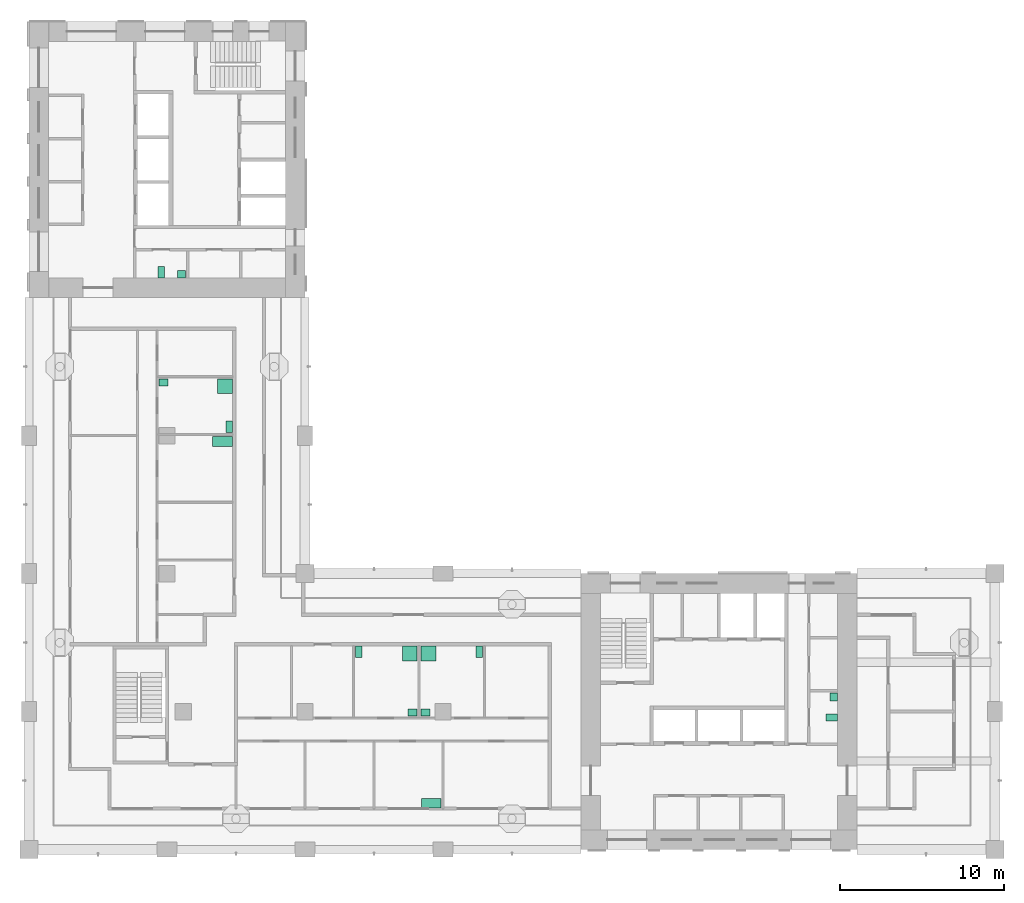
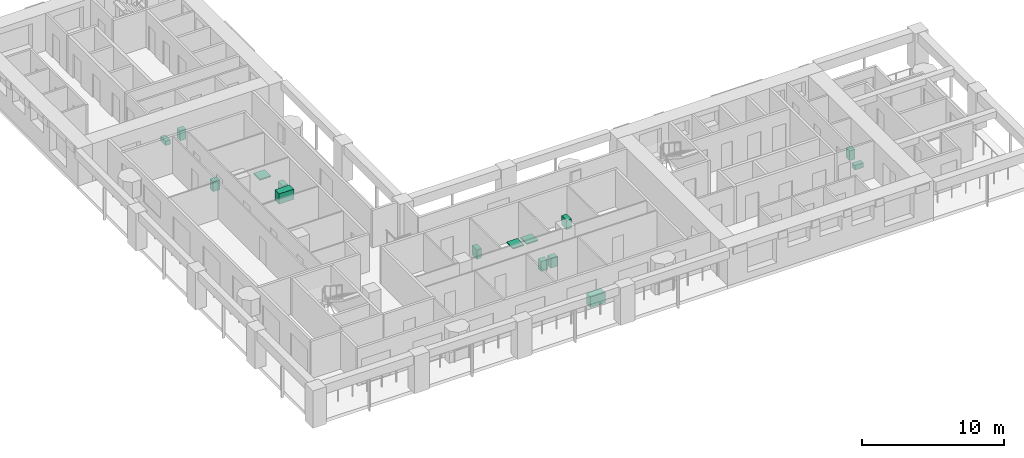
# One storey, part 11 of 13: 15 sanitary terminals.
"""IFC4 building model written with IfcOpenShell, lengths in metres."""

from ifc_helpers import new_model, si_unit, direction, frame, origin, origin_2d, place, context, subcontext, project, spatial, rectangle, extrude, material, element, save


model = new_model("IFC4")

# Units and contexts
model_context = context("Model", 3, precision=1e-05, world=origin(), true_north=direction((0.0, 1.0)))
body_context = subcontext(model_context, "Body", "Model", "MODEL_VIEW")
ifc_project = project(units=[si_unit("LENGTHUNIT", "METRE"), si_unit("AREAUNIT", "SQUARE_METRE"), si_unit("VOLUMEUNIT", "CUBIC_METRE"), si_unit("PLANEANGLEUNIT", "RADIAN"), si_unit("MASSUNIT", "GRAM", prefix="KILO")], contexts=[model_context])

# Site, building, storey
site_placement = place(None, origin())
site = spatial("IfcSite", under=ifc_project, at=site_placement, CompositionType="ELEMENT")
building_placement = place(site_placement, origin())
building = spatial("IfcBuilding", under=site, at=building_placement, Name="Vermilion Gate Residences", CompositionType="ELEMENT")
storey_placement = place(building_placement, frame((0.0, 0.0, 196.699951171875)))
storey = spatial("IfcBuildingStorey", under=building, at=storey_placement, Name="L51", CompositionType="ELEMENT", Elevation=196.699951171875)

# Sanitary terminals
ifc_material_1 = material(Name="Vitreous china")
sanitary_terminal_1_placement = place(storey_placement, frame((57.25, 16.43994140625, 0.0), z_axis=(0.0, 0.0, 1.0), x_axis=(1.0, 0.0, 0.0)))
element("IfcSanitaryTerminal", 1, at=sanitary_terminal_1_placement, inside=storey, material=ifc_material_1, Name="Toilet pan A51", PredefinedType="TOILETPAN", context=body_context, shape_type="SweptSolid", body=[
    extrude(rectangle(XDim=0.699951171875, YDim=0.39990234375, at=origin_2d()), origin(), (0.0, 0.0, 1.0), 0.39990234375),
])
sanitary_terminal_2_placement = place(storey_placement, frame((57.375, 17.679931640625, 0.0), z_axis=(0.0, 0.0, 1.0), x_axis=(1.0, 0.0, 0.0)))
element("IfcSanitaryTerminal", 2, at=sanitary_terminal_2_placement, inside=storey, material=ifc_material_1, Name="Washbasin A51", PredefinedType="WASHHANDBASIN", context=body_context, shape_type="SweptSolid", body=[
    extrude(rectangle(XDim=0.449951171875, YDim=0.5, at=origin_2d()), origin(), (0.0, 0.0, 1.0), 0.85009765625),
])
sanitary_terminal_3_placement = place(storey_placement, frame((16.43994140625, 43.550048828125, 0.0), z_axis=(0.0, 0.0, 1.0), x_axis=(1.0, 0.0, 0.0)))
element("IfcSanitaryTerminal", 3, at=sanitary_terminal_3_placement, inside=storey, material=ifc_material_1, Name="Toilet pan B51", PredefinedType="TOILETPAN", context=body_context, shape_type="SweptSolid", body=[
    extrude(rectangle(XDim=0.39990234375, YDim=0.699951171875, at=origin_2d()), origin(), (0.0, 0.0, 1.0), 0.39990234375),
])
sanitary_terminal_4_placement = place(storey_placement, frame((17.679931640625, 43.425048828125, 0.0), z_axis=(0.0, 0.0, 1.0), x_axis=(1.0, 0.0, 0.0)))
element("IfcSanitaryTerminal", 4, at=sanitary_terminal_4_placement, inside=storey, material=ifc_material_1, Name="Washbasin B51", PredefinedType="WASHHANDBASIN", context=body_context, shape_type="SweptSolid", body=[
    extrude(rectangle(XDim=0.5, YDim=0.449951171875, at=origin_2d()), origin(), (0.0, 0.0, 1.0), 0.85009765625),
])
ifc_material_2 = material(Name="Stainless steel", Category="steel")
sanitary_terminal_5_placement = place(storey_placement, frame((32.8798828125, 11.219970703125, 0.0), z_axis=(0.0, 0.0, 1.0), x_axis=(1.0, 0.0, 0.0)))
element("IfcSanitaryTerminal", 5, at=sanitary_terminal_5_placement, inside=storey, material=ifc_material_2, Name="Kitchen sink", PredefinedType="SINK", context=body_context, shape_type="SweptSolid", body=[
    extrude(rectangle(XDim=1.199951171875, YDim=0.60009765625, at=origin_2d()), origin(), (0.0, 0.0, 1.0), 0.89990234375),
])
sanitary_terminal_6_placement = place(storey_placement, frame((31.570068359375, 20.330078125, 0.0), z_axis=(0.0, 0.0, 1.0), x_axis=(1.0, 0.0, 0.0)))
element("IfcSanitaryTerminal", 6, at=sanitary_terminal_6_placement, inside=storey, material=ifc_material_1, Name="Shower tray", PredefinedType="SHOWER", context=body_context, shape_type="SweptSolid", body=[
    extrude(rectangle(XDim=0.89990234375, YDim=0.89990234375, at=origin_2d()), origin(), (0.0, 0.0, 1.0), 0.10009765625),
])
sanitary_terminal_7_placement = place(storey_placement, frame((28.47998046875, 20.429931640625, 0.0), z_axis=(0.0, 0.0, 1.0), x_axis=(1.0, 0.0, 0.0)))
element("IfcSanitaryTerminal", 7, at=sanitary_terminal_7_placement, inside=storey, material=ifc_material_1, Name="Toilet", PredefinedType="TOILETPAN", context=body_context, shape_type="SweptSolid", body=[
    extrude(rectangle(XDim=0.39990234375, YDim=0.699951171875, at=origin_2d()), origin(), (0.0, 0.0, 1.0), 0.800048828125),
])
sanitary_terminal_8_placement = place(storey_placement, frame((31.7451171875, 16.7451171875, 0.0), z_axis=(0.0, 0.0, 1.0), x_axis=(1.0, 0.0, 0.0)))
element("IfcSanitaryTerminal", 8, at=sanitary_terminal_8_placement, inside=storey, material=ifc_material_1, Name="Wash basin", PredefinedType="WASHHANDBASIN", context=body_context, shape_type="SweptSolid", body=[
    extrude(rectangle(XDim=0.550048828125, YDim=0.449951171875, at=origin_2d()), origin(), (0.0, 0.0, 1.0), 0.85009765625),
])
sanitary_terminal_9_placement = place(storey_placement, frame((32.7099609375, 20.330078125, 0.0), z_axis=(0.0, 0.0, 1.0), x_axis=(1.0, 0.0, 0.0)))
element("IfcSanitaryTerminal", 9, at=sanitary_terminal_9_placement, inside=storey, material=ifc_material_1, Name="Shower tray", PredefinedType="SHOWER", context=body_context, shape_type="SweptSolid", body=[
    extrude(rectangle(XDim=0.89990234375, YDim=0.89990234375, at=origin_2d()), origin(), (0.0, 0.0, 1.0), 0.10009765625),
])
sanitary_terminal_10_placement = place(storey_placement, frame((35.800048828125, 20.429931640625, 0.0), z_axis=(0.0, 0.0, 1.0), x_axis=(1.0, 0.0, 0.0)))
element("IfcSanitaryTerminal", 10, at=sanitary_terminal_10_placement, inside=storey, material=ifc_material_1, Name="Toilet", PredefinedType="TOILETPAN", context=body_context, shape_type="SweptSolid", body=[
    extrude(rectangle(XDim=0.39990234375, YDim=0.699951171875, at=origin_2d()), origin(), (0.0, 0.0, 1.0), 0.800048828125),
])
sanitary_terminal_11_placement = place(storey_placement, frame((32.534912109375, 16.7451171875, 0.0), z_axis=(0.0, 0.0, 1.0), x_axis=(1.0, 0.0, 0.0)))
element("IfcSanitaryTerminal", 11, at=sanitary_terminal_11_placement, inside=storey, material=ifc_material_1, Name="Wash basin", PredefinedType="WASHHANDBASIN", context=body_context, shape_type="SweptSolid", body=[
    extrude(rectangle(XDim=0.550048828125, YDim=0.449951171875, at=origin_2d()), origin(), (0.0, 0.0, 1.0), 0.85009765625),
])
sanitary_terminal_12_placement = place(storey_placement, frame((20.179931640625, 33.239990234375, 0.0), z_axis=(0.0, 0.0, 1.0), x_axis=(1.0, 0.0, 0.0)))
element("IfcSanitaryTerminal", 12, at=sanitary_terminal_12_placement, inside=storey, material=ifc_material_2, Name="Kitchen sink", PredefinedType="SINK", context=body_context, shape_type="SweptSolid", body=[
    extrude(rectangle(XDim=1.199951171875, YDim=0.60009765625, at=origin_2d()), origin(), (0.0, 0.0, 1.0), 0.89990234375),
])
sanitary_terminal_13_placement = place(storey_placement, frame((20.330078125, 36.610107421875, 0.0), z_axis=(0.0, 0.0, 1.0), x_axis=(1.0, 0.0, 0.0)))
element("IfcSanitaryTerminal", 13, at=sanitary_terminal_13_placement, inside=storey, material=ifc_material_1, Name="Shower tray", PredefinedType="SHOWER", context=body_context, shape_type="SweptSolid", body=[
    extrude(rectangle(XDim=0.89990234375, YDim=0.89990234375, at=origin_2d()), origin(), (0.0, 0.0, 1.0), 0.10009765625),
])
sanitary_terminal_14_placement = place(storey_placement, frame((20.580078125, 34.1298828125, 0.0), z_axis=(0.0, 0.0, 1.0), x_axis=(1.0, 0.0, 0.0)))
element("IfcSanitaryTerminal", 14, at=sanitary_terminal_14_placement, inside=storey, material=ifc_material_1, Name="Toilet", PredefinedType="TOILETPAN", context=body_context, shape_type="SweptSolid", body=[
    extrude(rectangle(XDim=0.39990234375, YDim=0.699951171875, at=origin_2d()), origin(), (0.0, 0.0, 1.0), 0.800048828125),
])
sanitary_terminal_15_placement = place(storey_placement, frame((16.594970703125, 36.8349609375, 0.0), z_axis=(0.0, 0.0, 1.0), x_axis=(1.0, 0.0, 0.0)))
element("IfcSanitaryTerminal", 15, at=sanitary_terminal_15_placement, inside=storey, material=ifc_material_1, Name="Wash basin", PredefinedType="WASHHANDBASIN", context=body_context, shape_type="SweptSolid", body=[
    extrude(rectangle(XDim=0.550048828125, YDim=0.449951171875, at=origin_2d()), origin(), (0.0, 0.0, 1.0), 0.85009765625),
])

save(model, "model.ifc")
